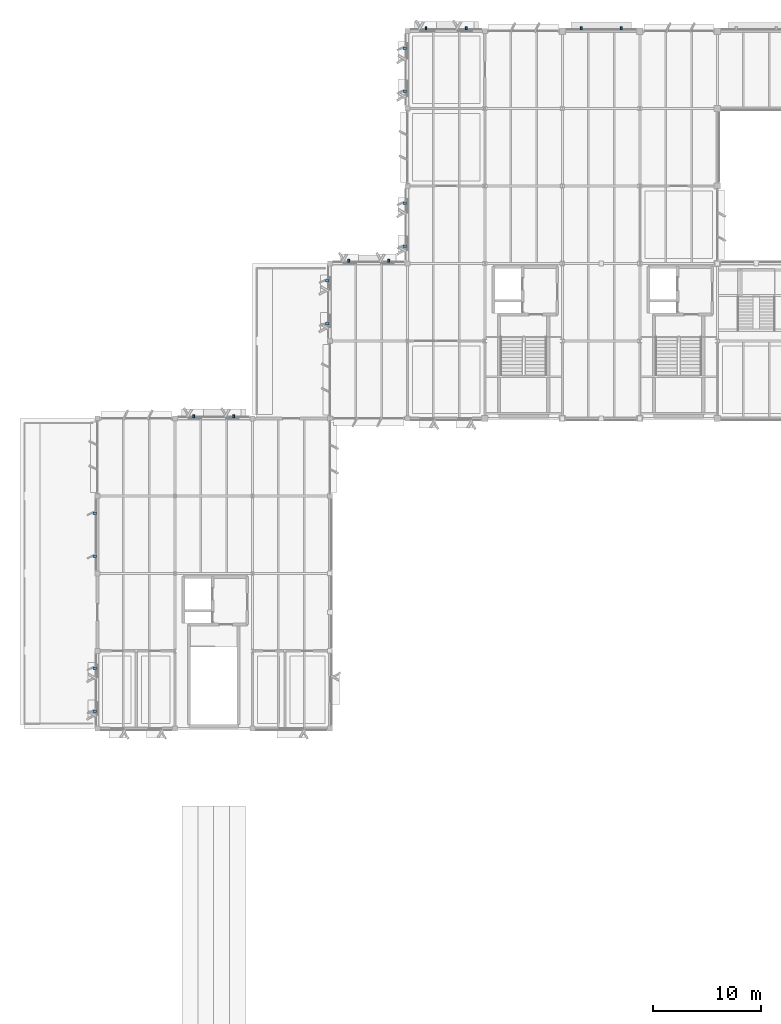
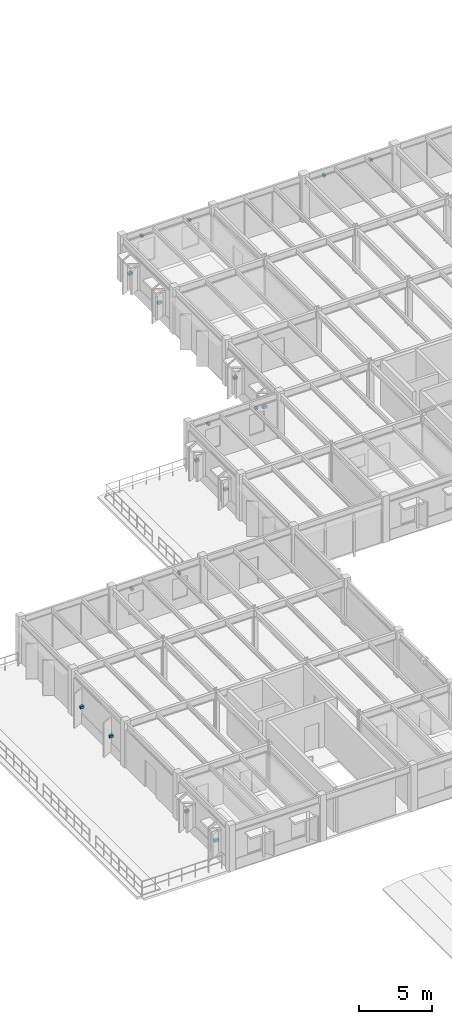
# One storey, part 17 of 35: 18 discrete accessories.
"""IFC4 building model written with IfcOpenShell, lengths in metres."""

from ifc_helpers import new_model, si_unit, direction, frame, origin, origin_2d, place, context, subcontext, project, spatial, rectangle, extrude, material, type_object, element, save


model = new_model("IFC4")

# Units and contexts
model_context = context("Model", 3, precision=1e-05, world=origin(), true_north=direction((0.0, 1.0)))
body_context = subcontext(model_context, "Body", "Model", "MODEL_VIEW")
ifc_project = project(units=[si_unit("LENGTHUNIT", "METRE"), si_unit("AREAUNIT", "SQUARE_METRE"), si_unit("VOLUMEUNIT", "CUBIC_METRE"), si_unit("PLANEANGLEUNIT", "RADIAN"), si_unit("MASSUNIT", "GRAM", prefix="KILO")], contexts=[model_context])

# Site, building, storey
site_placement = place(None, origin())
site = spatial("IfcSite", under=ifc_project, at=site_placement, CompositionType="ELEMENT")
building_placement = place(site_placement, origin())
building = spatial("IfcBuilding", under=site, at=building_placement, Name="Sillqori Civic Hall", CompositionType="ELEMENT")
storey_placement = place(building_placement, frame((0.0, 0.0, 18.0)))
storey = spatial("IfcBuildingStorey", under=building, at=storey_placement, Name="L05", CompositionType="ELEMENT", Elevation=18.0)

# Discrete accessories
ifc_material = material(Name="Steel ASTM A572 Grade 50", Category="steel")
discrete_accessory_type_1 = type_object("IfcDiscreteAccessoryType", Name="BRK-FAC-240", PredefinedType="BRACKET", material=ifc_material)
for number, where, z_axis, x_axis, name in (
    (1, (23.323974609375, 79.429931640625, 2.7001953125), (0.0, 0.0, 1.0), (1.0, 0.0, 0.0), "Sun-hood steel bracket L05-03-10-N.1"),
    (2, (27.075927734375, 79.429931640625, 2.7001953125), (0.0, 0.0, 1.0), (1.0, 0.0, 0.0), "Sun-hood steel bracket L05-03-10-N.2"),
    (3, (37.72412109375, 93.85009765625, 2.7001953125), (0.0, 0.0, 1.0), (1.0, 0.0, 0.0), "Sun-hood steel bracket L05-05-12-N.1"),
    (4, (41.47607421875, 93.85009765625, 2.7001953125), (0.0, 0.0, 1.0), (1.0, 0.0, 0.0), "Sun-hood steel bracket L05-05-12-N.2"),
    (5, (44.924072265625, 115.449951171875, 2.85009765625), (0.0, 0.0, 1.0), (1.0, 0.0, 0.0), "Sun-hood steel bracket L05-06-15-N.1"),
    (6, (48.676025390625, 115.449951171875, 2.85009765625), (0.0, 0.0, 1.0), (1.0, 0.0, 0.0), "Sun-hood steel bracket L05-06-15-N.2"),
    (7, (59.35205078125, 115.449951171875, 2.85009765625), (0.0, 0.0, 1.0), (1.0, 0.0, 0.0), "Sun-hood steel bracket L05-08-15-N.1"),
    (8, (63.048095703125, 115.449951171875, 2.85009765625), (0.0, 0.0, 1.0), (1.0, 0.0, 0.0), "Sun-hood steel bracket L05-08-15-N.2"),
):
    element("IfcDiscreteAccessory", number, at=place(storey_placement, frame(where, z_axis=z_axis, x_axis=x_axis)), inside=storey, type_object=discrete_accessory_type_1, Name=name, PredefinedType="BRACKET", context=body_context, shape_type="SweptSolid", body=[
        extrude(rectangle(XDim=0.179931640625, YDim=0.280029296875, at=origin_2d()), origin(), (0.0, 0.0, 1.0), 0.179931640625),
    ])
discrete_accessory_type_2 = type_object("IfcDiscreteAccessoryType", Name="BRK-FIN-280", PredefinedType="BRACKET", material=ifc_material)
for number, where, z_axis, x_axis, name in (
    (9, (14.159912109375, 51.989990234375, 1.48583984375), (0.0, 0.0, 1.0), (0.0, 1.0, 0.0), "Brise-soleil fin steel bracket L05-02-07-W.1"),
    (10, (14.159912109375, 56.010009765625, 1.48583984375), (0.0, 0.0, 1.0), (0.0, 1.0, 0.0), "Brise-soleil fin steel bracket L05-02-07-W.2"),
    (11, (14.159912109375, 66.389892578125, 1.48583984375), (0.0, 0.0, 1.0), (0.0, 1.0, 0.0), "Brise-soleil fin steel bracket L05-02-09-W.1"),
    (12, (14.159912109375, 70.409912109375, 1.48583984375), (0.0, 0.0, 1.0), (0.0, 1.0, 0.0), "Brise-soleil fin steel bracket L05-02-09-W.2"),
    (13, (35.739990234375, 87.989990234375, 1.48583984375), (0.0, 0.0, 1.0), (0.0, 1.0, 0.0), "Brise-soleil fin steel bracket L05-05-12-W.1"),
    (14, (35.739990234375, 92.010009765625, 1.48583984375), (0.0, 0.0, 1.0), (0.0, 1.0, 0.0), "Brise-soleil fin steel bracket L05-05-12-W.2"),
    (15, (42.93994140625, 95.18994140625, 1.48583984375), (0.0, 0.0, 1.0), (0.0, 1.0, 0.0), "Brise-soleil fin steel bracket L05-06-13-W.1"),
    (16, (42.93994140625, 99.2099609375, 1.48583984375), (0.0, 0.0, 1.0), (0.0, 1.0, 0.0), "Brise-soleil fin steel bracket L05-06-13-W.2"),
    (17, (42.93994140625, 109.590087890625, 1.48583984375), (0.0, 0.0, 1.0), (0.0, 1.0, 0.0), "Brise-soleil fin steel bracket L05-06-15-W.1"),
    (18, (42.93994140625, 113.610107421875, 1.48583984375), (0.0, 0.0, 1.0), (0.0, 1.0, 0.0), "Brise-soleil fin steel bracket L05-06-15-W.2"),
):
    element("IfcDiscreteAccessory", number, at=place(storey_placement, frame(where, z_axis=z_axis, x_axis=x_axis)), inside=storey, type_object=discrete_accessory_type_2, Name=name, PredefinedType="BRACKET", context=body_context, shape_type="SweptSolid", body=[
        extrude(rectangle(XDim=0.219970703125, YDim=0.320068359375, at=origin_2d()), origin(), (0.0, 0.0, 1.0), 0.199951171875),
    ])

save(model, "model.ifc")
